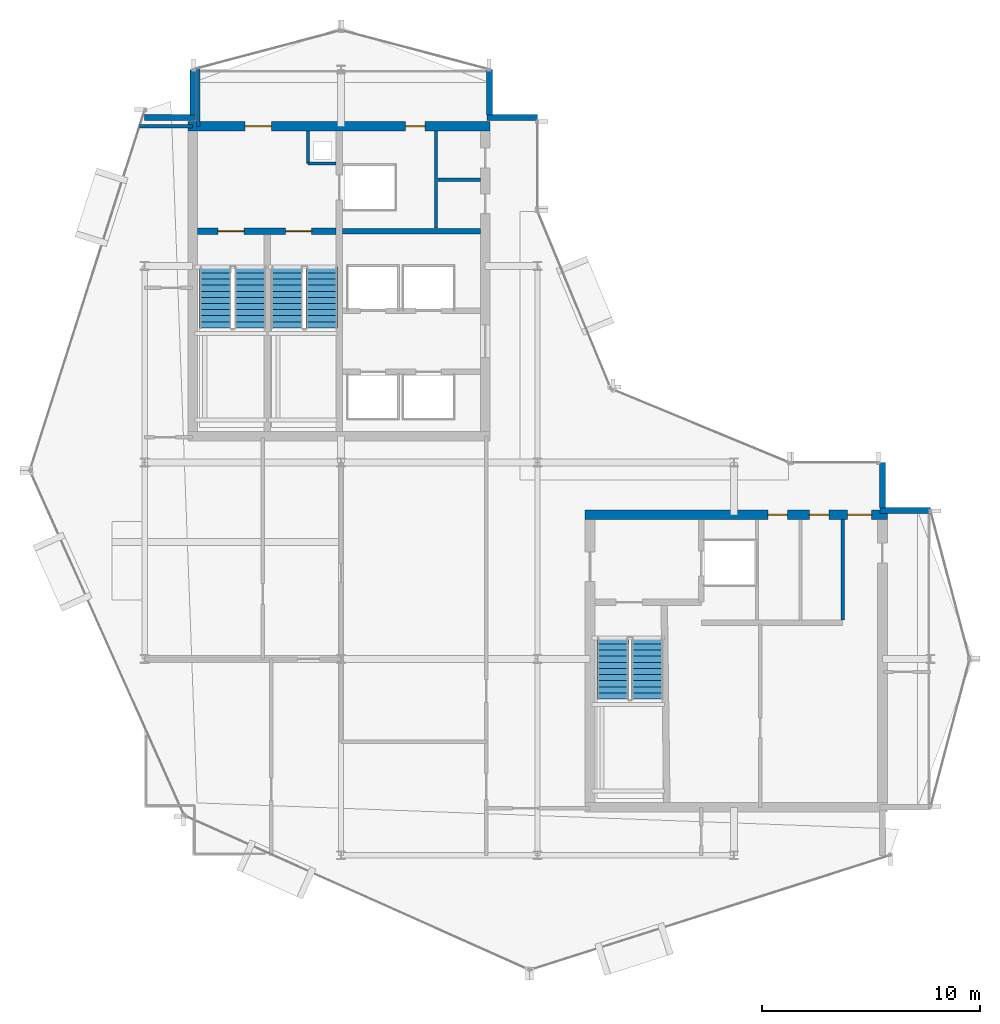
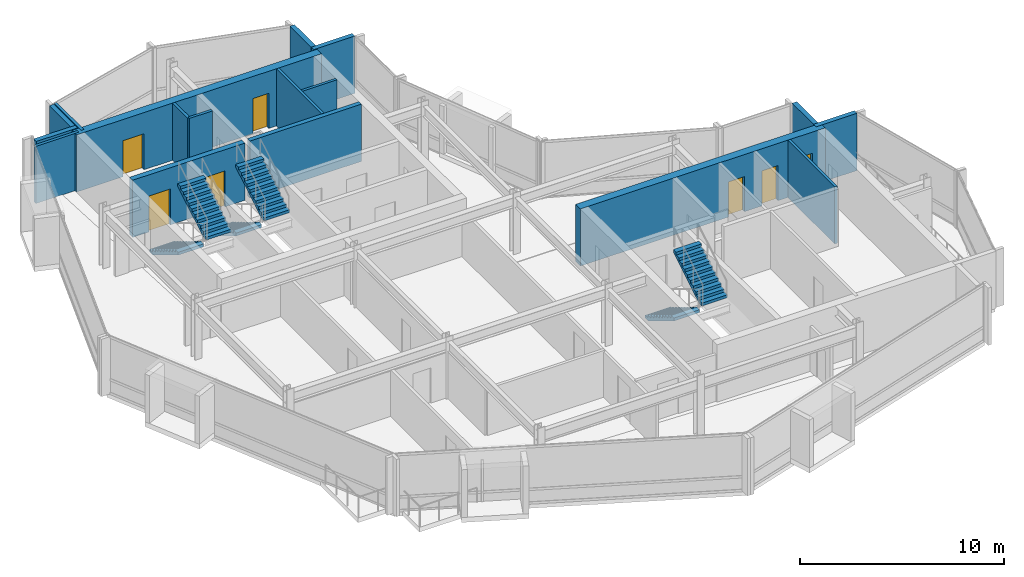
# One storey, part 15 of 19: 17 walls, 7 doors, 6 stair flights, 7 openings, 3 elements without a shape of their own.
"""IFC4 building model written with IfcOpenShell, lengths in metres."""

import ifcopenshell
import ifcopenshell.guid

model = None  # the IFC model being written
_history = None  # IfcOwnerHistory: only IFC2X3 demands one
_inside = {}  # id of a spatial element -> (the spatial element, [elements in it])
_under = {}  # id of a project, library or spatial element -> (it, [spatial elements below it])
_declared = {}  # id of a project -> (the project, [libraries it declares])
_typed = {}  # id of a type object -> (the type object, [elements of that type])
_made_of = {}  # id of a material, layer set ... -> (it, [elements and type objects made of it])


def new_model(schema):
    """Start an empty IFC model of exactly this schema.

    Asked for "IFC4X3", IfcOpenShell would pick the latest addendum, in which some entities
    have other attributes; the version numbers below select the first issue.
    IFC2X3 requires an IfcOwnerHistory on every rooted entity: one is made here for all.
    """
    global model, _history
    if schema == "IFC4X3":
        model = ifcopenshell.file(schema_version=(4, 3, 0, 0))
    else:
        model = ifcopenshell.file(schema=schema)
    _inside.clear()
    _under.clear()
    _declared.clear()
    _typed.clear()
    _made_of.clear()
    _history = None
    if model.schema == "IFC2X3":
        org = make("IfcOrganization", Name="unknown")
        user = make(
            "IfcPersonAndOrganization",
            ThePerson=make("IfcPerson", FamilyName="unknown"),
            TheOrganization=org,
        )
        app = make(
            "IfcApplication",
            ApplicationDeveloper=org,
            Version="unknown",
            ApplicationFullName="unknown",
            ApplicationIdentifier="unknown",
        )
        _history = make(
            "IfcOwnerHistory",
            OwningUser=user,
            OwningApplication=app,
            ChangeAction="ADDED",
            CreationDate=0,
        )
    return model


def make(cls, **values):
    """One entity of the class cls with the attributes given. An attribute that is None is left unset."""
    return model.create_entity(
        cls, **{name: value for name, value in values.items() if value is not None}
    )


def rooted(cls, **values):
    """An entity with a GlobalId (a new one), such as an element, a storey or a relation."""
    return make(cls, GlobalId=ifcopenshell.guid.new(), OwnerHistory=_history, **values)


def si_unit(unit_type, name, prefix=None):
    """IfcSIUnit, for example si_unit("LENGTHUNIT", "METRE", prefix="MILLI")."""
    return make("IfcSIUnit", UnitType=unit_type, Prefix=prefix, Name=name)


def assignment(units):
    """IfcUnitAssignment: the units of a project."""
    return None if units is None else make("IfcUnitAssignment", Units=units)


def point(xyz):
    """IfcCartesianPoint."""
    return None if xyz is None else make("IfcCartesianPoint", Coordinates=xyz)


def direction(xyz):
    """IfcDirection."""
    return None if xyz is None else make("IfcDirection", DirectionRatios=xyz)


def frame(location, z_axis=None, x_axis=None):
    """IfcAxis2Placement3D, a coordinate frame: its origin and axes. An axis left out is left unset."""
    return make(
        "IfcAxis2Placement3D",
        Location=point(location),
        Axis=direction(z_axis),
        RefDirection=direction(x_axis),
    )


def frame_2d(location, x_axis=None):
    """IfcAxis2Placement2D, a coordinate frame in the plane: its origin and x axis."""
    return make(
        "IfcAxis2Placement2D", Location=point(location), RefDirection=direction(x_axis)
    )


def origin():
    """The frame at (0, 0, 0) with its axes left unset."""
    return frame((0.0, 0.0, 0.0))


def place(relative_to, where):
    """IfcLocalPlacement: puts the frame where relative to a parent placement (None: the world)."""
    return make(
        "IfcLocalPlacement", PlacementRelTo=relative_to, RelativePlacement=where
    )


def context(
    kind, dimensions, precision=None, world=None, true_north=None, identifier=None
):
    """IfcGeometricRepresentationContext, for example the 3D "Model" context."""
    return make(
        "IfcGeometricRepresentationContext",
        ContextIdentifier=identifier,
        ContextType=kind,
        CoordinateSpaceDimension=dimensions,
        Precision=precision,
        WorldCoordinateSystem=world,
        TrueNorth=true_north,
    )


def subcontext(parent, identifier, kind, view, scale=None):
    """IfcGeometricRepresentationSubContext, for example "Body" below "Model"."""
    return make(
        "IfcGeometricRepresentationSubContext",
        ContextIdentifier=identifier,
        ContextType=kind,
        ParentContext=parent,
        TargetScale=scale,
        TargetView=view,
    )


def project(units=None, contexts=None):
    """IfcProject with its units and contexts."""
    return rooted(
        "IfcProject",
        Name="project",
        RepresentationContexts=contexts,
        UnitsInContext=assignment(units),
    )


def spatial(cls, under=None, at=None, **own):
    """A site, building, storey or space (cls), placed at a placement, below another one or the project."""
    s = rooted(cls, ObjectPlacement=at, **own)
    if under is not None:
        _under.setdefault(under.id(), (under, []))[1].append(s)
    return s


def polyline(points):
    """IfcPolyline through the points."""
    return make("IfcPolyline", Points=[point(p) for p in points])


def profile(cls, at=None, kind="AREA", **sizes):
    """A parametric profile (cls). Its sizes go by their IFC names, for example OverallWidth=200.0."""
    return make(cls, ProfileType=kind, Position=at, **sizes)


def rectangle(**sizes):
    """IfcRectangleProfileDef."""
    return profile("IfcRectangleProfileDef", **sizes)


def outline(outer, holes=None, kind="AREA"):
    """IfcArbitraryClosedProfileDef: a profile drawn as a closed curve; with holes, ...WithVoids."""
    if holes is None:
        return make("IfcArbitraryClosedProfileDef", ProfileType=kind, OuterCurve=outer)
    return make(
        "IfcArbitraryProfileDefWithVoids",
        ProfileType=kind,
        OuterCurve=outer,
        InnerCurves=holes,
    )


def extrude(swept, where, along, depth):
    """IfcExtrudedAreaSolid: the profile swept, set in the frame where, extruded along a direction by depth."""
    return make(
        "IfcExtrudedAreaSolid",
        SweptArea=swept,
        Position=where,
        ExtrudedDirection=direction(along),
        Depth=depth,
    )


def shape(context_of_items, identifier, shape_type, items):
    """IfcShapeRepresentation: the items that make up one representation, for example the "Body"."""
    return make(
        "IfcShapeRepresentation",
        ContextOfItems=context_of_items,
        RepresentationIdentifier=identifier,
        RepresentationType=shape_type,
        Items=items,
    )


def material(Name=None, Category=None):
    """IfcMaterial."""
    return make("IfcMaterial", Name=Name, Category=Category)


def layer(
    of_material, thickness, ventilated=None, Name=None, Category=None, Priority=None
):
    """IfcMaterialLayer: one layer of a wall or slab, of a material (None: an air gap)."""
    return make(
        "IfcMaterialLayer",
        Material=of_material,
        LayerThickness=thickness,
        IsVentilated=ventilated,
        Name=Name,
        Category=Category,
        Priority=Priority,
    )


def layer_set(layers, Name=None):
    """IfcMaterialLayerSet."""
    return make("IfcMaterialLayerSet", MaterialLayers=layers, LayerSetName=Name)


def made_of(thing, what):
    """Note that an element or type object is made of a material, layer set ...; save() writes the relation."""
    if what is not None:
        _made_of.setdefault(what.id(), (what, []))[1].append(thing)
    return thing


def type_object(cls, material=None, **own):
    """A type object (cls), such as IfcWallType, which elements share."""
    return made_of(rooted(cls, **own), material)


def element(
    cls,
    number,
    at=None,
    inside=None,
    cuts=None,
    type_object=None,
    material=None,
    context=None,
    identifier="Body",
    shape_type=None,
    held_by="IfcProductDefinitionShape",
    body=None,
    shapes=None,
    **own,
):
    """One element of the class cls, such as IfcWall. Its Tag is "e" and its number.

    at: its placement. inside: the storey or other place that contains it. cuts: it is an
    opening in that element (IfcRelVoidsElement). A single representation is given by context,
    identifier, shape_type and body (its items); several are given by shapes. held_by: the class
    of the entity that holds the representations. save() writes the other relations.
    """
    e = rooted(cls, Tag="e%d" % number, ObjectPlacement=at, **own)
    if body is not None:
        shapes = [shape(context, identifier, shape_type, body)]
    if shapes is not None:
        e.Representation = make(held_by, Representations=shapes)
    if inside is not None:
        _inside.setdefault(inside.id(), (inside, []))[1].append(e)
    if cuts is not None:
        rooted(
            "IfcRelVoidsElement", RelatingBuildingElement=cuts, RelatedOpeningElement=e
        )
    if type_object is not None:
        _typed.setdefault(type_object.id(), (type_object, []))[1].append(e)
    return made_of(e, material)


def fill(opening, filler):
    """IfcRelFillsElement: the door or window that sits in an opening."""
    return rooted(
        "IfcRelFillsElement",
        RelatingOpeningElement=opening,
        RelatedBuildingElement=filler,
    )


def aggregate(whole, parts):
    """IfcRelAggregates: a whole, such as a stair, and the parts it consists of."""
    return rooted("IfcRelAggregates", RelatingObject=whole, RelatedObjects=parts)


def save(model, path):
    """Write the relations noted so far, then the file.

    IfcRelAggregates (storeys below a building ...), IfcRelContainedInSpatialStructure (elements
    in a storey), IfcRelDefinesByType, IfcRelAssociatesMaterial and IfcRelDeclares: one each for
    every whole, place, type object, material and project.
    """
    for whole, parts in _under.values():
        aggregate(whole, parts)
    for where, things in _inside.values():
        rooted(
            "IfcRelContainedInSpatialStructure",
            RelatedElements=things,
            RelatingStructure=where,
        )
    for kind, things in _typed.values():
        rooted("IfcRelDefinesByType", RelatedObjects=things, RelatingType=kind)
    for what, things in _made_of.values():
        rooted("IfcRelAssociatesMaterial", RelatedObjects=things, RelatingMaterial=what)
    for by, libraries in _declared.values():
        rooted("IfcRelDeclares", RelatingContext=by, RelatedDefinitions=libraries)
    model.write(path)


model = new_model("IFC4")

# Units and contexts
model_context = context("Model", 3, precision=1e-05, world=origin(), true_north=direction((0.0, 1.0)))
body_context = subcontext(model_context, "Body", "Model", "MODEL_VIEW")
ifc_project = project(units=[si_unit("LENGTHUNIT", "METRE"), si_unit("AREAUNIT", "SQUARE_METRE"), si_unit("VOLUMEUNIT", "CUBIC_METRE"), si_unit("PLANEANGLEUNIT", "RADIAN"), si_unit("MASSUNIT", "GRAM", prefix="KILO")], contexts=[model_context])

# Site, building, storey
site_placement = place(None, origin())
site = spatial("IfcSite", under=ifc_project, at=site_placement, CompositionType="ELEMENT")
building_placement = place(site_placement, origin())
building = spatial("IfcBuilding", under=site, at=building_placement, Name="Solvaryn Broadcast Tower", CompositionType="ELEMENT")
storey_placement = place(building_placement, frame((0.0, 0.0, 248.199951171875)))
storey = spatial("IfcBuildingStorey", under=building, at=storey_placement, Name="L62", CompositionType="ELEMENT", Elevation=248.199951171875)

# Wall, openings, doors
ifc_material_1 = material(Name="Concrete f'c 70 MPa", Category="concrete")
ifc_layer_1 = layer(ifc_material_1, 0.449951171875)
ifc_layer_set_1 = layer_set([ifc_layer_1], Name="CW-SHEAR-450")
wall_type_1 = type_object("IfcWallType", Name="CW-SHEAR-450", PredefinedType="SHEAR", material=ifc_layer_set_1)
wall_1_placement = place(storey_placement, frame((24.824951171875, 42.39990234375, 0.0), z_axis=(0.0, 0.0, 1.0), x_axis=(-1.0, 0.0, 0.0)))
wall_1 = element("IfcWall", 1, at=wall_1_placement, inside=storey, type_object=wall_type_1, Name="L62 West Core North Shear Wall", PredefinedType="SHEAR", context=body_context, shape_type="SweptSolid", body=[
    extrude(rectangle(XDim=13.849853515625, YDim=0.449951171875, at=frame_2d((6.9248046875, 0.0))), origin(), (0.0, 0.0, 1.0), 3.420166015625),
])
opening_1_placement = place(wall_1_placement, frame((10.02490234375, 0.0, 0.0)))
opening_1 = element("IfcOpeningElement", 2, at=opening_1_placement, cuts=wall_1, Name="Opening FD90A", PredefinedType="OPENING", context=body_context, shape_type="SweptSolid", body=[
    extrude(rectangle(XDim=1.199951171875, YDim=2.14990234375, at=frame_2d((0.60009765625, 1.074951171875))), frame((0.0, 0.235107421875, 0.0), z_axis=(0.0, -1.0, 0.0), x_axis=(1.0, 0.0, 0.0)), (0.0, 0.0, 1.0), 0.469970703125),
])
opening_2_placement = place(wall_1_placement, frame((2.97509765625, 0.0, 0.0)))
opening_2 = element("IfcOpeningElement", 3, at=opening_2_placement, cuts=wall_1, Name="Opening FD60C", PredefinedType="OPENING", context=body_context, shape_type="SweptSolid", body=[
    extrude(rectangle(XDim=0.89990234375, YDim=2.10009765625, at=frame_2d((0.449951171875, 1.050048828125))), frame((0.0, 0.235107421875, 0.0), z_axis=(0.0, -1.0, 0.0), x_axis=(1.0, 0.0, 0.0)), (0.0, 0.0, 1.0), 0.469970703125),
])
ifc_material_2 = material(Name="Flush Acoustic Steel and Timber Door Assembly", Category="steel")
door_type_1 = type_object("IfcDoorType", Name="FD60-SERV-900X2100", OperationType="NOTDEFINED", PredefinedType="DOOR", material=ifc_material_2)
door_1_placement = place(opening_2_placement, origin())
door_1 = element("IfcDoor", 4, at=door_1_placement, inside=storey, type_object=door_type_1, Name="L62 West Core Fiber Riser Door", OperationType="SINGLE_SWING_RIGHT", OverallHeight=2.10009765625, OverallWidth=0.89990234375, PredefinedType="DOOR", context=body_context, shape_type="SweptSolid", body=[
    extrude(rectangle(XDim=0.89990234375, YDim=2.10009765625, at=frame_2d((0.449951171875, 1.050048828125))), frame((0.0, 0.02490234375, 0.0), z_axis=(0.0, -1.0, 0.0), x_axis=(1.0, 0.0, 0.0)), (0.0, 0.0, 1.0), 0.050048828125),
])
fill(opening_2, door_1)
ifc_material_3 = material(Name="Flush Acoustic Steel and Timber Door Assembly", Category="steel")
door_type_2 = type_object("IfcDoorType", Name="FD90-STAIR-1200X2150", OperationType="NOTDEFINED", PredefinedType="DOOR", material=ifc_material_3)
door_2_placement = place(opening_1_placement, origin())
door_2 = element("IfcDoor", 5, at=door_2_placement, inside=storey, type_object=door_type_2, Name="L62 West FSAE Lobby Corridor Door", OperationType="SINGLE_SWING_LEFT", OverallHeight=2.14990234375, OverallWidth=1.199951171875, PredefinedType="DOOR", context=body_context, shape_type="SweptSolid", body=[
    extrude(rectangle(XDim=1.199951171875, YDim=2.14990234375, at=frame_2d((0.60009765625, 1.074951171875))), frame((0.0, 0.02490234375, 0.0), z_axis=(0.0, -1.0, 0.0), x_axis=(1.0, 0.0, 0.0)), (0.0, 0.0, 1.0), 0.050048828125),
])
fill(opening_1, door_2)

wall_2_placement = place(storey_placement, frame((43.02490234375, 24.60009765625, 0.0), z_axis=(0.0, 0.0, 1.0), x_axis=(-1.0, 0.0, 0.0)))
wall_2 = element("IfcWall", 6, at=wall_2_placement, inside=storey, type_object=wall_type_1, Name="L62 East Core North Shear Wall", PredefinedType="SHEAR", context=body_context, shape_type="SweptSolid", body=[
    extrude(rectangle(XDim=13.849853515625, YDim=0.449951171875, at=frame_2d((6.9248046875, 0.0))), origin(), (0.0, 0.0, 1.0), 3.420166015625),
])
opening_3_placement = place(wall_2_placement, frame((0.72509765625, 0.0, 0.0)))
opening_3 = element("IfcOpeningElement", 7, at=opening_3_placement, cuts=wall_2, Name="Opening FD90C", PredefinedType="OPENING", context=body_context, shape_type="SweptSolid", body=[
    extrude(rectangle(XDim=1.10009765625, YDim=2.14990234375, at=frame_2d((0.550048828125, 1.074951171875))), frame((0.0, 0.235107421875, 0.0), z_axis=(0.0, -1.0, 0.0), x_axis=(1.0, 0.0, 0.0)), (0.0, 0.0, 1.0), 0.469970703125),
])
opening_4_placement = place(wall_2_placement, frame((2.675048828125, 0.0, 0.0)))
opening_4 = element("IfcOpeningElement", 8, at=opening_4_placement, cuts=wall_2, Name="Opening FD60C", PredefinedType="OPENING", context=body_context, shape_type="SweptSolid", body=[
    extrude(rectangle(XDim=0.89990234375, YDim=2.10009765625, at=frame_2d((0.449951171875, 1.050048828125))), frame((0.0, 0.235107421875, 0.0), z_axis=(0.0, -1.0, 0.0), x_axis=(1.0, 0.0, 0.0)), (0.0, 0.0, 1.0), 0.469970703125),
])
opening_5_placement = place(wall_2_placement, frame((4.574951171875, 0.0, 0.0)))
opening_5 = element("IfcOpeningElement", 9, at=opening_5_placement, cuts=wall_2, Name="Opening FD60C", PredefinedType="OPENING", context=body_context, shape_type="SweptSolid", body=[
    extrude(rectangle(XDim=0.89990234375, YDim=2.10009765625, at=frame_2d((0.449951171875, 1.050048828125))), frame((0.0, 0.235107421875, 0.0), z_axis=(0.0, -1.0, 0.0), x_axis=(1.0, 0.0, 0.0)), (0.0, 0.0, 1.0), 0.469970703125),
])
door_3_placement = place(opening_4_placement, origin())
door_3 = element("IfcDoor", 10, at=door_3_placement, inside=storey, type_object=door_type_1, Name="L62 Staff Restroom Door", OperationType="SINGLE_SWING_LEFT", OverallHeight=2.10009765625, OverallWidth=0.89990234375, PredefinedType="DOOR", context=body_context, shape_type="SweptSolid", body=[
    extrude(rectangle(XDim=0.89990234375, YDim=2.10009765625, at=frame_2d((0.449951171875, 1.050048828125))), frame((0.0, 0.02490234375, 0.0), z_axis=(0.0, -1.0, 0.0), x_axis=(1.0, 0.0, 0.0)), (0.0, 0.0, 1.0), 0.050048828125),
])
fill(opening_4, door_3)
door_4_placement = place(opening_5_placement, origin())
door_4 = element("IfcDoor", 11, at=door_4_placement, inside=storey, type_object=door_type_1, Name="L62 Accessible WC Door", OperationType="SINGLE_SWING_RIGHT", OverallHeight=2.10009765625, OverallWidth=0.89990234375, PredefinedType="DOOR", context=body_context, shape_type="SweptSolid", body=[
    extrude(rectangle(XDim=0.89990234375, YDim=2.10009765625, at=frame_2d((0.449951171875, 1.050048828125))), frame((0.0, 0.02490234375, 0.0), z_axis=(0.0, -1.0, 0.0), x_axis=(1.0, 0.0, 0.0)), (0.0, 0.0, 1.0), 0.050048828125),
])
fill(opening_5, door_4)
ifc_material_4 = material(Name="Flush Acoustic Steel and Timber Door Assembly", Category="steel")
door_type_3 = type_object("IfcDoorType", Name="FD90-PLANT-1100X2150", OperationType="NOTDEFINED", PredefinedType="DOOR", material=ifc_material_4)
door_5_placement = place(opening_3_placement, origin())
door_5 = element("IfcDoor", 12, at=door_5_placement, inside=storey, type_object=door_type_3, Name="L62 East Core Lobby Corridor Door", OperationType="SINGLE_SWING_LEFT", OverallHeight=2.14990234375, OverallWidth=1.10009765625, PredefinedType="DOOR", context=body_context, shape_type="SweptSolid", body=[
    extrude(rectangle(XDim=1.10009765625, YDim=2.14990234375, at=frame_2d((0.550048828125, 1.074951171875))), frame((0.0, 0.02490234375, 0.0), z_axis=(0.0, -1.0, 0.0), x_axis=(1.0, 0.0, 0.0)), (0.0, 0.0, 1.0), 0.050048828125),
])
fill(opening_3, door_5)

# Walls
ifc_material_5 = material(Name="Concrete f'c 50 MPa", Category="concrete")
ifc_layer_2 = layer(ifc_material_5, 0.260009765625)
ifc_layer_set_2 = layer_set([ifc_layer_2], Name="EW-PIER-260")
wall_type_2 = type_object("IfcWallType", Name="EW-PIER-260", PredefinedType="SOLIDWALL", material=ifc_layer_set_2)
wall_3_placement = place(storey_placement, frame((9.0, 42.800048828125, 0.0), z_axis=(0.0, 0.0, 1.0), x_axis=(1.0, 0.0, 0.0)))
element("IfcWall", 13, at=wall_3_placement, inside=storey, type_object=wall_type_2, Name="L62 Notched Corner Pier Wall NNW1", PredefinedType="SOLIDWALL", context=body_context, shape_type="SweptSolid", body=[
    extrude(rectangle(XDim=2.320068359375, YDim=0.260009765625, at=frame_2d((1.16015625, 0.0))), origin(), (0.0, 0.0, 1.0), 3.420166015625),
])
for number, where, z_axis, x_axis, name in (
    (14, (11.199951171875, 42.919921875, 0.0), (0.0, 0.0, 1.0), (0.0, 1.0, 0.0), "L62 Notched Corner Pier Wall NNW2"),
    (15, (24.800048828125, 45.0, 0.0), (0.0, 0.0, 1.0), (0.0, -1.0, 0.0), "L62 Notched Corner Pier Wall NNE1"),
):
    element("IfcWall", number, at=place(storey_placement, frame(where, z_axis=z_axis, x_axis=x_axis)), inside=storey, type_object=wall_type_2, Name=name, PredefinedType="SOLIDWALL", context=body_context, shape_type="SweptSolid", body=[
        extrude(rectangle(XDim=2.080078125, YDim=0.260009765625, at=frame_2d((1.0400390625, 0.0))), origin(), (0.0, 0.0, 1.0), 3.420166015625),
    ])
for number, where, z_axis, x_axis, name in (
    (16, (24.679931640625, 42.800048828125, 0.0), (0.0, 0.0, 1.0), (1.0, 0.0, 0.0), "L62 Notched Corner Pier Wall NNE2"),
    (17, (45.0, 24.800048828125, 0.0), (0.0, 0.0, 1.0), (-1.0, 0.0, 0.0), "L62 Notched Corner Pier Wall NEE1"),
):
    element("IfcWall", number, at=place(storey_placement, frame(where, z_axis=z_axis, x_axis=x_axis)), inside=storey, type_object=wall_type_2, Name=name, PredefinedType="SOLIDWALL", context=body_context, shape_type="SweptSolid", body=[
        extrude(rectangle(XDim=2.320068359375, YDim=0.260009765625, at=frame_2d((1.16015625, 0.0))), origin(), (0.0, 0.0, 1.0), 3.420166015625),
    ])
wall_4_placement = place(storey_placement, frame((42.800048828125, 24.919921875, 0.0), z_axis=(0.0, 0.0, 1.0), x_axis=(0.0, 1.0, 0.0)))
element("IfcWall", 18, at=wall_4_placement, inside=storey, type_object=wall_type_2, Name="L62 Notched Corner Pier Wall NEE2", PredefinedType="SOLIDWALL", context=body_context, shape_type="SweptSolid", body=[
    extrude(rectangle(XDim=2.080078125, YDim=0.260009765625, at=frame_2d((1.0400390625, 0.0))), origin(), (0.0, 0.0, 1.0), 3.420166015625),
])
ifc_material_6 = material(Name="Metal-Stud Service Core Partition")
ifc_layer_3 = layer(ifc_material_6, 0.14990234375)
ifc_layer_set_3 = layer_set([ifc_layer_3], Name="IW-PART-150")
wall_type_3 = type_object("IfcWallType", Name="IW-PART-150", PredefinedType="PARTITIONING", material=ifc_layer_set_3)
wall_5_placement = place(storey_placement, frame((16.47998046875, 40.699951171875, 0.0), z_axis=(0.0, 0.0, 1.0), x_axis=(1.0, 0.0, 0.0)))
element("IfcWall", 19, at=wall_5_placement, inside=storey, type_object=wall_type_3, Name="L62 West Core Riser Shaft South Wall", PredefinedType="PARTITIONING", context=body_context, shape_type="SweptSolid", body=[
    extrude(rectangle(XDim=1.2900390625, YDim=0.14990234375, at=frame_2d((0.64501953125, 0.0))), origin(), (0.0, 0.0, 1.0), 3.420166015625),
])
wall_6_placement = place(storey_placement, frame((16.47998046875, 40.699951171875, 0.0), z_axis=(0.0, 0.0, 1.0), x_axis=(0.0, 1.0, 0.0)))
element("IfcWall", 20, at=wall_6_placement, inside=storey, type_object=wall_type_3, Name="L62 West Core Riser Shaft West Wall", PredefinedType="PARTITIONING", context=body_context, shape_type="SweptSolid", body=[
    extrude(rectangle(XDim=1.47509765625, YDim=0.14990234375, at=frame_2d((0.737548828125, 0.0))), origin(), (0.0, 0.0, 1.0), 3.420166015625),
])
wall_7_placement = place(storey_placement, frame((22.35009765625, 37.72998046875, 0.0), z_axis=(0.0, 0.0, 1.0), x_axis=(0.0, 1.0, 0.0)))
element("IfcWall", 21, at=wall_7_placement, inside=storey, type_object=wall_type_3, Name="L62 Interior Partition IW-L62-CWS-V", PredefinedType="PARTITIONING", context=body_context, shape_type="SweptSolid", body=[
    extrude(rectangle(XDim=4.445068359375, YDim=0.14990234375, at=frame_2d((2.22265625, 0.0))), origin(), (0.0, 0.0, 1.0), 3.420166015625),
])
wall_8_placement = place(storey_placement, frame((22.429931640625, 39.949951171875, 0.0), z_axis=(0.0, 0.0, 1.0), x_axis=(1.0, 0.0, 0.0)))
element("IfcWall", 22, at=wall_8_placement, inside=storey, type_object=wall_type_3, Name="L62 Interior Partition IW-L62-CWS-H", PredefinedType="PARTITIONING", context=body_context, shape_type="SweptSolid", body=[
    extrude(rectangle(XDim=1.945068359375, YDim=0.14990234375, at=frame_2d((0.97265625, 0.0))), origin(), (0.0, 0.0, 1.0), 3.420166015625),
])
wall_9_placement = place(storey_placement, frame((40.97998046875, 19.780029296875, 0.0), z_axis=(0.0, 0.0, 1.0), x_axis=(0.0, 1.0, 0.0)))
element("IfcWall", 23, at=wall_9_placement, inside=storey, type_object=wall_type_3, Name="L62 Interior Partition IW-L62-CE-V3", PredefinedType="PARTITIONING", context=body_context, shape_type="SweptSolid", body=[
    extrude(rectangle(XDim=4.594970703125, YDim=0.14990234375, at=frame_2d((2.29736328125, 0.0))), origin(), (0.0, 0.0, 1.0), 3.420166015625),
])
ifc_material_7 = material(Name="Metal-Stud Gypsum Office Partition")
ifc_layer_4 = layer(ifc_material_7, 0.159912109375)
ifc_layer_set_4 = layer_set([ifc_layer_4], Name="IW-PART-160")
wall_type_4 = type_object("IfcWallType", Name="IW-PART-160", PredefinedType="PARTITIONING", material=ifc_layer_set_4)
wall_10_placement = place(storey_placement, frame((8.760986328125, 42.39990234375, 0.0), z_axis=(0.0, 0.0, 1.0), x_axis=(1.0, 0.0, 0.0)))
element("IfcWall", 24, at=wall_10_placement, inside=storey, type_object=wall_type_4, Name="L62 Interior Partition IW-L62-WM-N", PredefinedType="PARTITIONING", context=body_context, shape_type="SweptSolid", body=[
    extrude(rectangle(XDim=2.43896484375, YDim=0.159912109375, at=frame_2d((1.219482421875, 0.0))), origin(), (0.0, 0.0, 1.0), 3.420166015625),
])
wall_11_placement = place(storey_placement, frame((11.449951171875, 42.39990234375, 0.0), z_axis=(0.0, 0.0, 1.0), x_axis=(0.0, 1.0, 0.0)))
element("IfcWall", 25, at=wall_11_placement, inside=storey, type_object=wall_type_4, Name="L62 Interior Partition IW-L62-WM-E", PredefinedType="PARTITIONING", context=body_context, shape_type="SweptSolid", body=[
    extrude(rectangle(XDim=2.666015625, YDim=0.159912109375, at=frame_2d((1.3330078125, 0.0))), origin(), (0.0, 0.0, 1.0), 3.420166015625),
])
ifc_material_8 = material(Name="Concrete f'c 60 MPa", Category="concrete")
ifc_layer_5 = layer(ifc_material_8, 0.25)
ifc_layer_set_5 = layer_set([ifc_layer_5], Name="SW-SHAFT-250")
wall_type_5 = type_object("IfcWallType", Name="SW-SHAFT-250", PredefinedType="PARTITIONING", material=ifc_layer_set_5)
wall_12_placement = place(storey_placement, frame((18.070068359375, 37.60009765625, 0.0), z_axis=(0.0, 0.0, 1.0), x_axis=(1.0, 0.0, 0.0)))
element("IfcWall", 26, at=wall_12_placement, inside=storey, type_object=wall_type_5, Name="L62 West Core FSAE Hoistway Front Wall", PredefinedType="PARTITIONING", context=body_context, shape_type="SweptSolid", body=[
    extrude(rectangle(XDim=6.304931640625, YDim=0.25, at=frame_2d((3.15234375, 0.0))), origin(), (0.0, 0.0, 1.0), 3.420166015625),
])

# Wall, openings, doors
ifc_material_9 = material(Name="Concrete f'c 70 MPa", Category="concrete")
ifc_layer_6 = layer(ifc_material_9, 0.300048828125)
ifc_layer_set_6 = layer_set([ifc_layer_6], Name="SW-SHAFT-300")
wall_type_6 = type_object("IfcWallType", Name="SW-SHAFT-300", PredefinedType="SHEAR", material=ifc_layer_set_6)
wall_13_placement = place(storey_placement, frame((17.77001953125, 37.60009765625, 0.0), z_axis=(0.0, 0.0, 1.0), x_axis=(-1.0, 0.0, 0.0)))
wall_13 = element("IfcWall", 27, at=wall_13_placement, inside=storey, type_object=wall_type_6, Name="L62 West Core FSAE Lobby South Wall", PredefinedType="SHEAR", context=body_context, shape_type="SweptSolid", body=[
    extrude(rectangle(XDim=6.344970703125, YDim=0.300048828125, at=frame_2d((3.17236328125, 0.0))), origin(), (0.0, 0.0, 1.0), 3.420166015625),
])
opening_6_placement = place(wall_13_placement, frame((4.219970703125, 0.0, 0.0)))
opening_6 = element("IfcOpeningElement", 28, at=opening_6_placement, cuts=wall_13, Name="Opening FD90A", PredefinedType="OPENING", context=body_context, shape_type="SweptSolid", body=[
    extrude(rectangle(XDim=1.199951171875, YDim=2.14990234375, at=frame_2d((0.60009765625, 1.074951171875))), frame((0.0, 0.159912109375, 0.0), z_axis=(0.0, -1.0, 0.0), x_axis=(1.0, 0.0, 0.0)), (0.0, 0.0, 1.0), 0.320068359375),
])
opening_7_placement = place(wall_13_placement, frame((1.1201171875, 0.0, 0.0)))
opening_7 = element("IfcOpeningElement", 29, at=opening_7_placement, cuts=wall_13, Name="Opening FD90A", PredefinedType="OPENING", context=body_context, shape_type="SweptSolid", body=[
    extrude(rectangle(XDim=1.199951171875, YDim=2.14990234375, at=frame_2d((0.60009765625, 1.074951171875))), frame((0.0, 0.159912109375, 0.0), z_axis=(0.0, -1.0, 0.0), x_axis=(1.0, 0.0, 0.0)), (0.0, 0.0, 1.0), 0.320068359375),
])
door_6_placement = place(opening_6_placement, origin())
door_6 = element("IfcDoor", 30, at=door_6_placement, inside=storey, type_object=door_type_2, Name="L62 Stair 1 Fire Door", OperationType="SINGLE_SWING_LEFT", OverallHeight=2.14990234375, OverallWidth=1.199951171875, PredefinedType="DOOR", context=body_context, shape_type="SweptSolid", body=[
    extrude(rectangle(XDim=1.199951171875, YDim=2.14990234375, at=frame_2d((0.60009765625, 1.074951171875))), frame((0.0, 0.02490234375, 0.0), z_axis=(0.0, -1.0, 0.0), x_axis=(1.0, 0.0, 0.0)), (0.0, 0.0, 1.0), 0.050048828125),
])
fill(opening_6, door_6)
door_7_placement = place(opening_7_placement, origin())
door_7 = element("IfcDoor", 31, at=door_7_placement, inside=storey, type_object=door_type_2, Name="L62 Stair 2 Fire Door", OperationType="SINGLE_SWING_RIGHT", OverallHeight=2.14990234375, OverallWidth=1.199951171875, PredefinedType="DOOR", context=body_context, shape_type="SweptSolid", body=[
    extrude(rectangle(XDim=1.199951171875, YDim=2.14990234375, at=frame_2d((0.60009765625, 1.074951171875))), frame((0.0, 0.02490234375, 0.0), z_axis=(0.0, -1.0, 0.0), x_axis=(1.0, 0.0, 0.0)), (0.0, 0.0, 1.0), 0.050048828125),
])
fill(opening_7, door_7)

# Stair, stair flights
ifc_material_10 = material(Name="Concrete f'c 60 MPa", Category="concrete")
stair_type = type_object("IfcStairType", Name="ST-CORE", PredefinedType="HALF_TURN_STAIR", material=ifc_material_10)
stair_1_placement = place(storey_placement, origin())
stair_1 = element("IfcStair", 32, at=stair_1_placement, inside=storey, type_object=stair_type, Name="L62 ST1", PredefinedType="HALF_TURN_STAIR")
ifc_material_11 = material(Name="Concrete f'c 60 MPa", Category="concrete")
ifc_layer_7 = layer(ifc_material_11, 0.159912109375)
ifc_layer_set_7 = layer_set([ifc_layer_7], Name="SF-CORE")
stair_flight_type = type_object("IfcStairFlightType", Name="SF-CORE", PredefinedType="STRAIGHT", material=ifc_layer_set_7)
stair_flight_1_placement = place(storey_placement, frame((12.239990234375, 35.9599609375, 0.0), z_axis=(0.0, 0.0, 1.0), x_axis=(0.0, -1.0, 0.0)))
stair_flight_1 = element("IfcStairFlight", 33, at=stair_flight_1_placement, type_object=stair_flight_type, Name="ST1 flight 1", NumberOfRisers=11, NumberOfTreads=10, PredefinedType="STRAIGHT", RiserHeight=0.168181818, TreadLength=0.28, context=body_context, shape_type="SweptSolid", body=[
    extrude(outline(polyline([(0.0, 0.0), (0.0, 0.168212890625), (0.280029296875, 0.168212890625), (0.280029296875, 0.33642578125), (0.56005859375, 0.33642578125), (0.56005859375, 0.504638671875), (0.840087890625, 0.504638671875), (0.840087890625, 0.672607421875), (1.1201171875, 0.672607421875), (1.1201171875, 0.8408203125), (1.39990234375, 0.8408203125), (1.39990234375, 1.009033203125), (1.679931640625, 1.009033203125), (1.679931640625, 1.17724609375), (1.9599609375, 1.17724609375), (1.9599609375, 1.345458984375), (2.239990234375, 1.345458984375), (2.239990234375, 1.513671875), (2.52001953125, 1.513671875), (2.52001953125, 1.681884765625), (2.800048828125, 1.681884765625), (2.800048828125, 1.85009765625), (2.800048828125, 1.5068359375), (0.291015625, 0.0), (0.0, 0.0)])), frame((0.0, 0.719970703125, 0.0), z_axis=(0.0, -1.0, 0.0), x_axis=(1.0, 0.0, 0.0)), (0.0, 0.0, 1.0), 1.43994140625),
])
stair_flight_2_placement = place(storey_placement, frame((13.830078125, 33.159912109375, 1.85009765625), z_axis=(0.0, 0.0, 1.0), x_axis=(0.0, 1.0, 0.0)))
stair_flight_2 = element("IfcStairFlight", 34, at=stair_flight_2_placement, type_object=stair_flight_type, Name="ST1 flight 2", NumberOfRisers=11, NumberOfTreads=10, PredefinedType="STRAIGHT", RiserHeight=0.168181818, TreadLength=0.28, context=body_context, shape_type="SweptSolid", body=[
    extrude(outline(polyline([(0.0, 0.0), (0.0, 0.168212890625), (0.280029296875, 0.168212890625), (0.280029296875, 0.33642578125), (0.56005859375, 0.33642578125), (0.56005859375, 0.504638671875), (0.840087890625, 0.504638671875), (0.840087890625, 0.672607421875), (1.1201171875, 0.672607421875), (1.1201171875, 0.8408203125), (1.39990234375, 0.8408203125), (1.39990234375, 1.009033203125), (1.679931640625, 1.009033203125), (1.679931640625, 1.17724609375), (1.9599609375, 1.17724609375), (1.9599609375, 1.345458984375), (2.239990234375, 1.345458984375), (2.239990234375, 1.513671875), (2.52001953125, 1.513671875), (2.52001953125, 1.681884765625), (2.800048828125, 1.681884765625), (2.800048828125, 1.85009765625), (2.800048828125, 1.5068359375), (0.291015625, 0.0), (0.0, 0.0)])), frame((0.0, 0.719970703125, 0.0), z_axis=(0.0, -1.0, 0.0), x_axis=(1.0, 0.0, 0.0)), (0.0, 0.0, 1.0), 1.43994140625),
])
aggregate(stair_1, [stair_flight_1, stair_flight_2])

stair_2_placement = place(storey_placement, origin())
stair_2 = element("IfcStair", 35, at=stair_2_placement, inside=storey, type_object=stair_type, Name="L62 ST2", PredefinedType="HALF_TURN_STAIR")
stair_flight_3_placement = place(storey_placement, frame((15.52001953125, 35.9599609375, 0.0), z_axis=(0.0, 0.0, 1.0), x_axis=(0.0, -1.0, 0.0)))
stair_flight_3 = element("IfcStairFlight", 36, at=stair_flight_3_placement, type_object=stair_flight_type, Name="ST2 flight 1", NumberOfRisers=11, NumberOfTreads=10, PredefinedType="STRAIGHT", RiserHeight=0.168181818, TreadLength=0.28, context=body_context, shape_type="SweptSolid", body=[
    extrude(outline(polyline([(0.0, 0.0), (0.0, 0.168212890625), (0.280029296875, 0.168212890625), (0.280029296875, 0.33642578125), (0.56005859375, 0.33642578125), (0.56005859375, 0.504638671875), (0.840087890625, 0.504638671875), (0.840087890625, 0.672607421875), (1.1201171875, 0.672607421875), (1.1201171875, 0.8408203125), (1.39990234375, 0.8408203125), (1.39990234375, 1.009033203125), (1.679931640625, 1.009033203125), (1.679931640625, 1.17724609375), (1.9599609375, 1.17724609375), (1.9599609375, 1.345458984375), (2.239990234375, 1.345458984375), (2.239990234375, 1.513671875), (2.52001953125, 1.513671875), (2.52001953125, 1.681884765625), (2.800048828125, 1.681884765625), (2.800048828125, 1.85009765625), (2.800048828125, 1.5068359375), (0.291015625, 0.0), (0.0, 0.0)])), frame((0.0, 0.719970703125, 0.0), z_axis=(0.0, -1.0, 0.0), x_axis=(1.0, 0.0, 0.0)), (0.0, 0.0, 1.0), 1.43994140625),
])
stair_flight_4_placement = place(storey_placement, frame((17.110107421875, 33.159912109375, 1.85009765625), z_axis=(0.0, 0.0, 1.0), x_axis=(0.0, 1.0, 0.0)))
stair_flight_4 = element("IfcStairFlight", 37, at=stair_flight_4_placement, type_object=stair_flight_type, Name="ST2 flight 2", NumberOfRisers=11, NumberOfTreads=10, PredefinedType="STRAIGHT", RiserHeight=0.168181818, TreadLength=0.28, context=body_context, shape_type="SweptSolid", body=[
    extrude(outline(polyline([(0.0, 0.0), (0.0, 0.168212890625), (0.280029296875, 0.168212890625), (0.280029296875, 0.33642578125), (0.56005859375, 0.33642578125), (0.56005859375, 0.504638671875), (0.840087890625, 0.504638671875), (0.840087890625, 0.672607421875), (1.1201171875, 0.672607421875), (1.1201171875, 0.8408203125), (1.39990234375, 0.8408203125), (1.39990234375, 1.009033203125), (1.679931640625, 1.009033203125), (1.679931640625, 1.17724609375), (1.9599609375, 1.17724609375), (1.9599609375, 1.345458984375), (2.239990234375, 1.345458984375), (2.239990234375, 1.513671875), (2.52001953125, 1.513671875), (2.52001953125, 1.681884765625), (2.800048828125, 1.681884765625), (2.800048828125, 1.85009765625), (2.800048828125, 1.5068359375), (0.291015625, 0.0), (0.0, 0.0)])), frame((0.0, 0.719970703125, 0.0), z_axis=(0.0, -1.0, 0.0), x_axis=(1.0, 0.0, 0.0)), (0.0, 0.0, 1.0), 1.43994140625),
])
aggregate(stair_2, [stair_flight_3, stair_flight_4])

stair_3_placement = place(storey_placement, origin())
stair_3 = element("IfcStair", 38, at=stair_3_placement, inside=storey, type_object=stair_type, Name="L62 ST3", PredefinedType="HALF_TURN_STAIR")
stair_flight_5_placement = place(storey_placement, frame((30.43994140625, 18.9599609375, 0.0), z_axis=(0.0, 0.0, 1.0), x_axis=(0.0, -1.0, 0.0)))
stair_flight_5 = element("IfcStairFlight", 39, at=stair_flight_5_placement, type_object=stair_flight_type, Name="ST3 flight 1", NumberOfRisers=11, NumberOfTreads=10, PredefinedType="STRAIGHT", RiserHeight=0.168181818, TreadLength=0.28, context=body_context, shape_type="SweptSolid", body=[
    extrude(outline(polyline([(0.0, 0.0), (0.0, 0.168212890625), (0.280029296875, 0.168212890625), (0.280029296875, 0.33642578125), (0.56005859375, 0.33642578125), (0.56005859375, 0.504638671875), (0.840087890625, 0.504638671875), (0.840087890625, 0.672607421875), (1.1201171875, 0.672607421875), (1.1201171875, 0.8408203125), (1.39990234375, 0.8408203125), (1.39990234375, 1.009033203125), (1.679931640625, 1.009033203125), (1.679931640625, 1.17724609375), (1.9599609375, 1.17724609375), (1.9599609375, 1.345458984375), (2.239990234375, 1.345458984375), (2.239990234375, 1.513671875), (2.52001953125, 1.513671875), (2.52001953125, 1.681884765625), (2.800048828125, 1.681884765625), (2.800048828125, 1.85009765625), (2.800048828125, 1.5068359375), (0.291015625, 0.0), (0.0, 0.0)])), frame((0.0, 0.719970703125, 0.0), z_axis=(0.0, -1.0, 0.0), x_axis=(1.0, 0.0, 0.0)), (0.0, 0.0, 1.0), 1.43994140625),
])
stair_flight_6_placement = place(storey_placement, frame((32.030029296875, 16.159912109375, 1.85009765625), z_axis=(0.0, 0.0, 1.0), x_axis=(0.0, 1.0, 0.0)))
stair_flight_6 = element("IfcStairFlight", 40, at=stair_flight_6_placement, type_object=stair_flight_type, Name="ST3 flight 2", NumberOfRisers=11, NumberOfTreads=10, PredefinedType="STRAIGHT", RiserHeight=0.168181818, TreadLength=0.28, context=body_context, shape_type="SweptSolid", body=[
    extrude(outline(polyline([(0.0, 0.0), (0.0, 0.168212890625), (0.280029296875, 0.168212890625), (0.280029296875, 0.33642578125), (0.56005859375, 0.33642578125), (0.56005859375, 0.504638671875), (0.840087890625, 0.504638671875), (0.840087890625, 0.672607421875), (1.1201171875, 0.672607421875), (1.1201171875, 0.8408203125), (1.39990234375, 0.8408203125), (1.39990234375, 1.009033203125), (1.679931640625, 1.009033203125), (1.679931640625, 1.17724609375), (1.9599609375, 1.17724609375), (1.9599609375, 1.345458984375), (2.239990234375, 1.345458984375), (2.239990234375, 1.513671875), (2.52001953125, 1.513671875), (2.52001953125, 1.681884765625), (2.800048828125, 1.681884765625), (2.800048828125, 1.85009765625), (2.800048828125, 1.5068359375), (0.291015625, 0.0), (0.0, 0.0)])), frame((0.0, 0.719970703125, 0.0), z_axis=(0.0, -1.0, 0.0), x_axis=(1.0, 0.0, 0.0)), (0.0, 0.0, 1.0), 1.43994140625),
])
aggregate(stair_3, [stair_flight_5, stair_flight_6])

save(model, "model.ifc")
